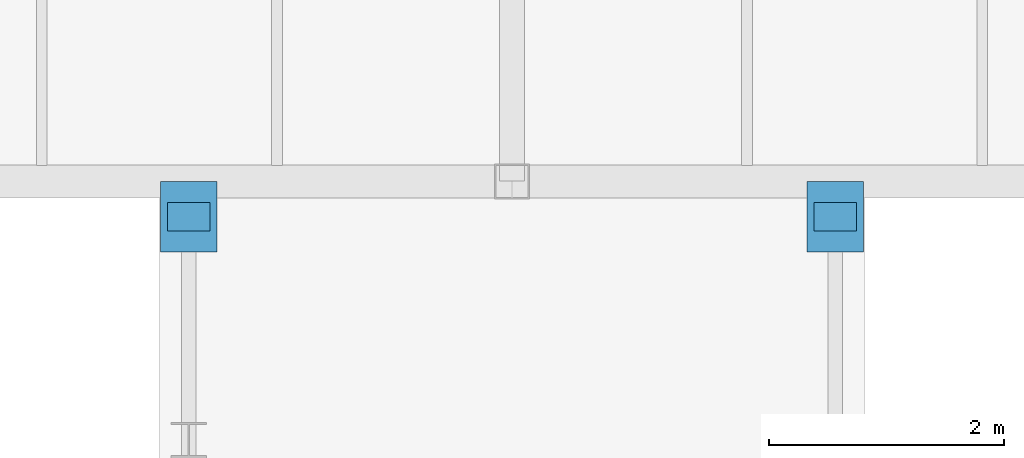
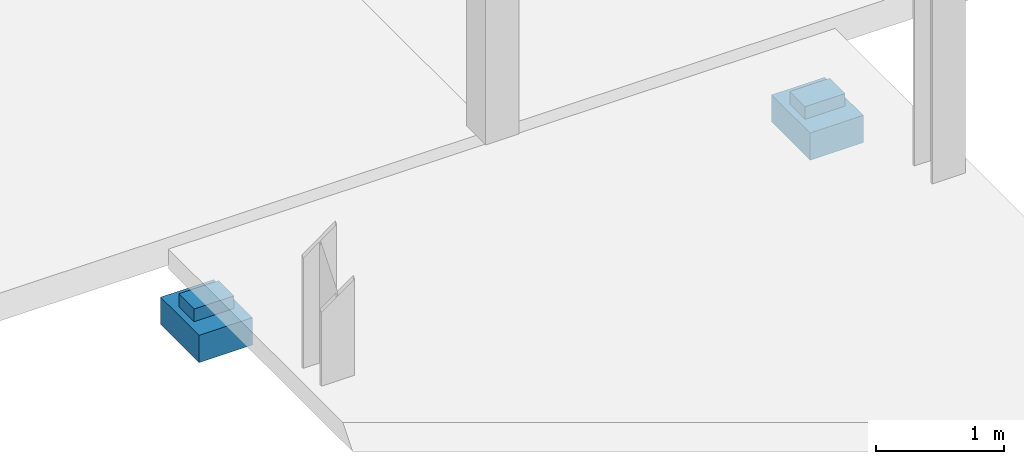
# One storey, part 152 of 165: 4 discrete accessories.
"""IFC4 building model written with IfcOpenShell, lengths in metres."""

from ifc_helpers import new_model, si_unit, direction, frame, origin, origin_2d, place, context, subcontext, project, spatial, rectangle, extrude, material, type_object, element, save


model = new_model("IFC4")

# Units and contexts
model_context = context("Model", 3, precision=1e-05, world=origin(), true_north=direction((0.0, 1.0)))
body_context = subcontext(model_context, "Body", "Model", "MODEL_VIEW")
ifc_project = project(units=[si_unit("LENGTHUNIT", "METRE"), si_unit("AREAUNIT", "SQUARE_METRE"), si_unit("VOLUMEUNIT", "CUBIC_METRE"), si_unit("PLANEANGLEUNIT", "RADIAN"), si_unit("MASSUNIT", "GRAM", prefix="KILO")], contexts=[model_context])

# Site, building, storey
site_placement = place(None, origin())
site = spatial("IfcSite", under=ifc_project, at=site_placement, CompositionType="ELEMENT")
building_placement = place(site_placement, origin())
building = spatial("IfcBuilding", under=site, at=building_placement, Name="Montecoro Central Library", CompositionType="ELEMENT")
storey_placement = place(building_placement, frame((0.0, 0.0, 5.10009765625)))
storey = spatial("IfcBuildingStorey", under=building, at=storey_placement, Name="L01", CompositionType="ELEMENT", Elevation=5.10009765625)

# Discrete accessories
ifc_material_1 = material(Name="Steel S355 and PTFE elastomer", Category="steel")
discrete_accessory_type_1 = type_object("IfcDiscreteAccessoryType", Name="BRG-SLIDE-02", PredefinedType="USERDEFINED", material=ifc_material_1)
for number, where, z_axis, x_axis, name in (
    (1, (154.25, 73.10009765625, -0.545166015625), (0.0, 0.0, 1.0), (1.0, 0.0, 0.0), "BR-E-L01-BRG-WB"),
    (2, (159.75, 73.10009765625, -0.545166015625), (0.0, 0.0, 1.0), (1.0, 0.0, 0.0), "BR-E-L01-BRG-EB"),
):
    element("IfcDiscreteAccessory", number, at=place(storey_placement, frame(where, z_axis=z_axis, x_axis=x_axis)), inside=storey, type_object=discrete_accessory_type_1, Name=name, ObjectType="FREE SLIDING BEARING", PredefinedType="USERDEFINED", context=body_context, shape_type="SweptSolid", body=[
        extrude(rectangle(XDim=0.360107421875, YDim=0.239990234375, at=origin_2d()), origin(), (0.0, 0.0, 1.0), 0.1201171875),
    ])
ifc_material_2 = material(Name="Steel S355", Category="steel")
discrete_accessory_type_2 = type_object("IfcDiscreteAccessoryType", Name="CORBEL-SEAT-600", PredefinedType="BRACKET", material=ifc_material_2)
for number, where, z_axis, x_axis, name in (
    (3, (154.25, 73.10009765625, -0.80517578125), (0.0, 0.0, 1.0), (1.0, 0.0, 0.0), "BR-E-L01-SEAT-WB"),
    (4, (159.75, 73.10009765625, -0.80517578125), (0.0, 0.0, 1.0), (1.0, 0.0, 0.0), "BR-E-L01-SEAT-EB"),
):
    element("IfcDiscreteAccessory", number, at=place(storey_placement, frame(where, z_axis=z_axis, x_axis=x_axis)), inside=storey, type_object=discrete_accessory_type_2, Name=name, PredefinedType="BRACKET", context=body_context, shape_type="SweptSolid", body=[
        extrude(rectangle(XDim=0.47998046875, YDim=0.60009765625, at=origin_2d()), origin(), (0.0, 0.0, 1.0), 0.260009765625),
    ])

save(model, "model.ifc")
